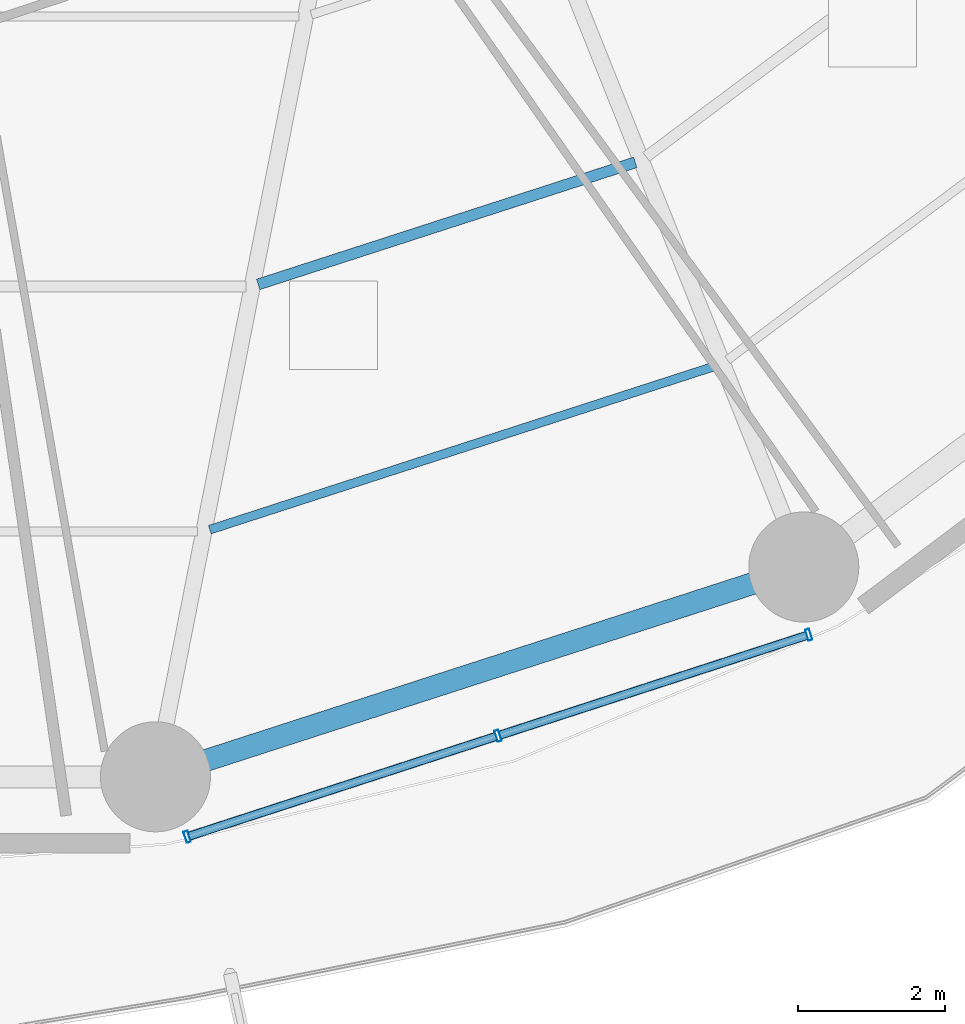
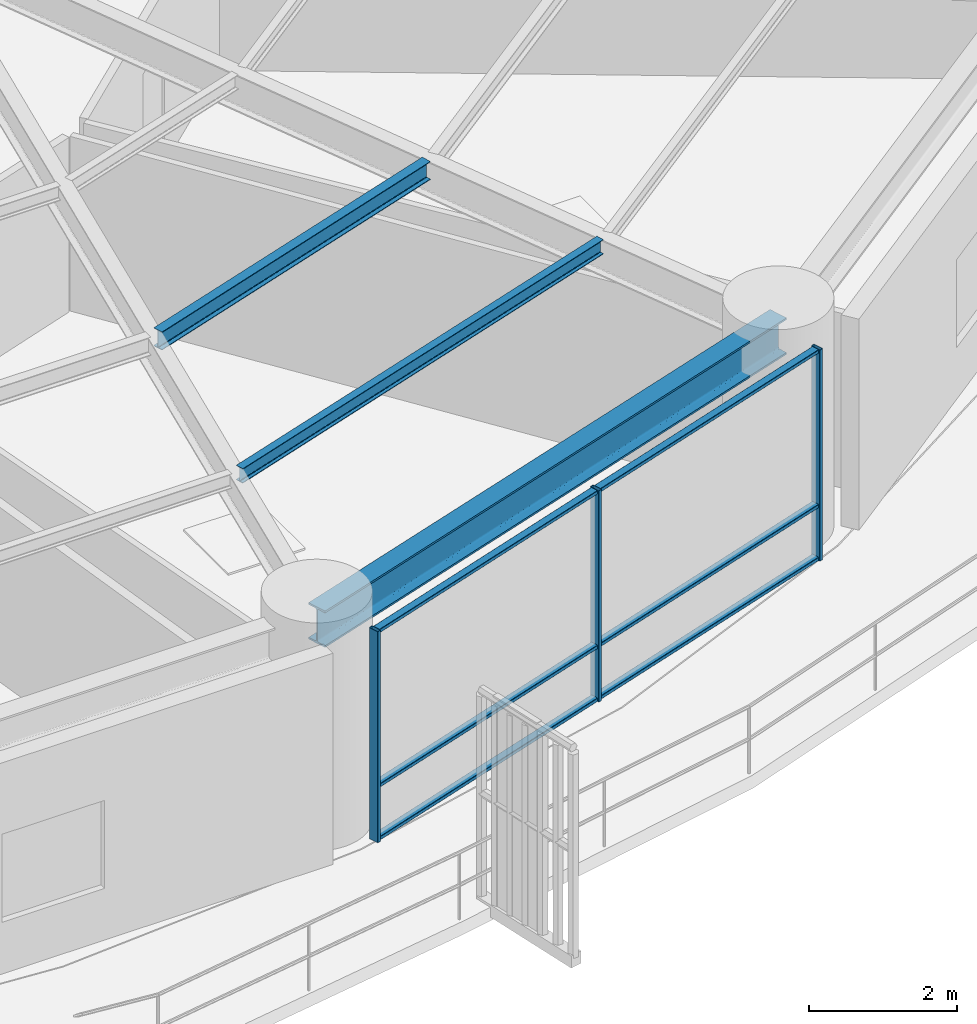
# One storey, part 8 of 33: 9 members, 3 beams, 1 element without a shape of its own.
"""IFC4 building model written with IfcOpenShell, lengths in metres."""

import ifcopenshell
import ifcopenshell.guid

model = None  # the IFC model being written
_history = None  # IfcOwnerHistory: only IFC2X3 demands one
_inside = {}  # id of a spatial element -> (the spatial element, [elements in it])
_under = {}  # id of a project, library or spatial element -> (it, [spatial elements below it])
_declared = {}  # id of a project -> (the project, [libraries it declares])
_typed = {}  # id of a type object -> (the type object, [elements of that type])
_made_of = {}  # id of a material, layer set ... -> (it, [elements and type objects made of it])


def new_model(schema):
    """Start an empty IFC model of exactly this schema.

    Asked for "IFC4X3", IfcOpenShell would pick the latest addendum, in which some entities
    have other attributes; the version numbers below select the first issue.
    IFC2X3 requires an IfcOwnerHistory on every rooted entity: one is made here for all.
    """
    global model, _history
    if schema == "IFC4X3":
        model = ifcopenshell.file(schema_version=(4, 3, 0, 0))
    else:
        model = ifcopenshell.file(schema=schema)
    _inside.clear()
    _under.clear()
    _declared.clear()
    _typed.clear()
    _made_of.clear()
    _history = None
    if model.schema == "IFC2X3":
        org = make("IfcOrganization", Name="unknown")
        user = make(
            "IfcPersonAndOrganization",
            ThePerson=make("IfcPerson", FamilyName="unknown"),
            TheOrganization=org,
        )
        app = make(
            "IfcApplication",
            ApplicationDeveloper=org,
            Version="unknown",
            ApplicationFullName="unknown",
            ApplicationIdentifier="unknown",
        )
        _history = make(
            "IfcOwnerHistory",
            OwningUser=user,
            OwningApplication=app,
            ChangeAction="ADDED",
            CreationDate=0,
        )
    return model


def make(cls, **values):
    """One entity of the class cls with the attributes given. An attribute that is None is left unset."""
    return model.create_entity(
        cls, **{name: value for name, value in values.items() if value is not None}
    )


def rooted(cls, **values):
    """An entity with a GlobalId (a new one), such as an element, a storey or a relation."""
    return make(cls, GlobalId=ifcopenshell.guid.new(), OwnerHistory=_history, **values)


def si_unit(unit_type, name, prefix=None):
    """IfcSIUnit, for example si_unit("LENGTHUNIT", "METRE", prefix="MILLI")."""
    return make("IfcSIUnit", UnitType=unit_type, Prefix=prefix, Name=name)


def assignment(units):
    """IfcUnitAssignment: the units of a project."""
    return None if units is None else make("IfcUnitAssignment", Units=units)


def point(xyz):
    """IfcCartesianPoint."""
    return None if xyz is None else make("IfcCartesianPoint", Coordinates=xyz)


def direction(xyz):
    """IfcDirection."""
    return None if xyz is None else make("IfcDirection", DirectionRatios=xyz)


def frame(location, z_axis=None, x_axis=None):
    """IfcAxis2Placement3D, a coordinate frame: its origin and axes. An axis left out is left unset."""
    return make(
        "IfcAxis2Placement3D",
        Location=point(location),
        Axis=direction(z_axis),
        RefDirection=direction(x_axis),
    )


def frame_2d(location, x_axis=None):
    """IfcAxis2Placement2D, a coordinate frame in the plane: its origin and x axis."""
    return make(
        "IfcAxis2Placement2D", Location=point(location), RefDirection=direction(x_axis)
    )


def origin():
    """The frame at (0, 0, 0) with its axes left unset."""
    return frame((0.0, 0.0, 0.0))


def origin_2d():
    """The frame at (0, 0) in the plane with its x axis left unset."""
    return frame_2d((0.0, 0.0))


def place(relative_to, where):
    """IfcLocalPlacement: puts the frame where relative to a parent placement (None: the world)."""
    return make(
        "IfcLocalPlacement", PlacementRelTo=relative_to, RelativePlacement=where
    )


def context(
    kind, dimensions, precision=None, world=None, true_north=None, identifier=None
):
    """IfcGeometricRepresentationContext, for example the 3D "Model" context."""
    return make(
        "IfcGeometricRepresentationContext",
        ContextIdentifier=identifier,
        ContextType=kind,
        CoordinateSpaceDimension=dimensions,
        Precision=precision,
        WorldCoordinateSystem=world,
        TrueNorth=true_north,
    )


def subcontext(parent, identifier, kind, view, scale=None):
    """IfcGeometricRepresentationSubContext, for example "Body" below "Model"."""
    return make(
        "IfcGeometricRepresentationSubContext",
        ContextIdentifier=identifier,
        ContextType=kind,
        ParentContext=parent,
        TargetScale=scale,
        TargetView=view,
    )


def project(units=None, contexts=None):
    """IfcProject with its units and contexts."""
    return rooted(
        "IfcProject",
        Name="project",
        RepresentationContexts=contexts,
        UnitsInContext=assignment(units),
    )


def spatial(cls, under=None, at=None, **own):
    """A site, building, storey or space (cls), placed at a placement, below another one or the project."""
    s = rooted(cls, ObjectPlacement=at, **own)
    if under is not None:
        _under.setdefault(under.id(), (under, []))[1].append(s)
    return s


def profile(cls, at=None, kind="AREA", **sizes):
    """A parametric profile (cls). Its sizes go by their IFC names, for example OverallWidth=200.0."""
    return make(cls, ProfileType=kind, Position=at, **sizes)


def hollow_rectangle(**sizes):
    """IfcRectangleHollowProfileDef."""
    return profile("IfcRectangleHollowProfileDef", **sizes)


def i_section(**sizes):
    """IfcIShapeProfileDef."""
    return profile("IfcIShapeProfileDef", **sizes)


def extrude(swept, where, along, depth):
    """IfcExtrudedAreaSolid: the profile swept, set in the frame where, extruded along a direction by depth."""
    return make(
        "IfcExtrudedAreaSolid",
        SweptArea=swept,
        Position=where,
        ExtrudedDirection=direction(along),
        Depth=depth,
    )


def shape(context_of_items, identifier, shape_type, items):
    """IfcShapeRepresentation: the items that make up one representation, for example the "Body"."""
    return make(
        "IfcShapeRepresentation",
        ContextOfItems=context_of_items,
        RepresentationIdentifier=identifier,
        RepresentationType=shape_type,
        Items=items,
    )


def material(Name=None, Category=None):
    """IfcMaterial."""
    return make("IfcMaterial", Name=Name, Category=Category)


def layer(
    of_material, thickness, ventilated=None, Name=None, Category=None, Priority=None
):
    """IfcMaterialLayer: one layer of a wall or slab, of a material (None: an air gap)."""
    return make(
        "IfcMaterialLayer",
        Material=of_material,
        LayerThickness=thickness,
        IsVentilated=ventilated,
        Name=Name,
        Category=Category,
        Priority=Priority,
    )


def layer_set(layers, Name=None):
    """IfcMaterialLayerSet."""
    return make("IfcMaterialLayerSet", MaterialLayers=layers, LayerSetName=Name)


def material_profile(
    of_material, cross_section, Name=None, Category=None, Priority=None
):
    """IfcMaterialProfile: a cross section and its material."""
    return make(
        "IfcMaterialProfile",
        Name=Name,
        Material=of_material,
        Profile=cross_section,
        Priority=Priority,
        Category=Category,
    )


def profile_set(profiles, Name=None, composite=None):
    """IfcMaterialProfileSet."""
    return make(
        "IfcMaterialProfileSet",
        Name=Name,
        MaterialProfiles=profiles,
        CompositeProfile=composite,
    )


def made_of(thing, what):
    """Note that an element or type object is made of a material, layer set ...; save() writes the relation."""
    if what is not None:
        _made_of.setdefault(what.id(), (what, []))[1].append(thing)
    return thing


def type_object(cls, material=None, **own):
    """A type object (cls), such as IfcWallType, which elements share."""
    return made_of(rooted(cls, **own), material)


def element(
    cls,
    number,
    at=None,
    inside=None,
    cuts=None,
    type_object=None,
    material=None,
    context=None,
    identifier="Body",
    shape_type=None,
    held_by="IfcProductDefinitionShape",
    body=None,
    shapes=None,
    **own,
):
    """One element of the class cls, such as IfcWall. Its Tag is "e" and its number.

    at: its placement. inside: the storey or other place that contains it. cuts: it is an
    opening in that element (IfcRelVoidsElement). A single representation is given by context,
    identifier, shape_type and body (its items); several are given by shapes. held_by: the class
    of the entity that holds the representations. save() writes the other relations.
    """
    e = rooted(cls, Tag="e%d" % number, ObjectPlacement=at, **own)
    if body is not None:
        shapes = [shape(context, identifier, shape_type, body)]
    if shapes is not None:
        e.Representation = make(held_by, Representations=shapes)
    if inside is not None:
        _inside.setdefault(inside.id(), (inside, []))[1].append(e)
    if cuts is not None:
        rooted(
            "IfcRelVoidsElement", RelatingBuildingElement=cuts, RelatedOpeningElement=e
        )
    if type_object is not None:
        _typed.setdefault(type_object.id(), (type_object, []))[1].append(e)
    return made_of(e, material)


def aggregate(whole, parts):
    """IfcRelAggregates: a whole, such as a stair, and the parts it consists of."""
    return rooted("IfcRelAggregates", RelatingObject=whole, RelatedObjects=parts)


def save(model, path):
    """Write the relations noted so far, then the file.

    IfcRelAggregates (storeys below a building ...), IfcRelContainedInSpatialStructure (elements
    in a storey), IfcRelDefinesByType, IfcRelAssociatesMaterial and IfcRelDeclares: one each for
    every whole, place, type object, material and project.
    """
    for whole, parts in _under.values():
        aggregate(whole, parts)
    for where, things in _inside.values():
        rooted(
            "IfcRelContainedInSpatialStructure",
            RelatedElements=things,
            RelatingStructure=where,
        )
    for kind, things in _typed.values():
        rooted("IfcRelDefinesByType", RelatedObjects=things, RelatingType=kind)
    for what, things in _made_of.values():
        rooted("IfcRelAssociatesMaterial", RelatedObjects=things, RelatingMaterial=what)
    for by, libraries in _declared.values():
        rooted("IfcRelDeclares", RelatingContext=by, RelatedDefinitions=libraries)
    model.write(path)


model = new_model("IFC4")

# Units and contexts
model_context = context("Model", 3, precision=1e-05, world=origin(), true_north=direction((0.0, 1.0)))
body_context = subcontext(model_context, "Body", "Model", "MODEL_VIEW")
ifc_project = project(units=[si_unit("LENGTHUNIT", "METRE"), si_unit("AREAUNIT", "SQUARE_METRE"), si_unit("VOLUMEUNIT", "CUBIC_METRE"), si_unit("PLANEANGLEUNIT", "RADIAN"), si_unit("MASSUNIT", "GRAM", prefix="KILO")], contexts=[model_context])

# Site, building, storey
site_placement = place(None, origin())
site = spatial("IfcSite", under=ifc_project, at=site_placement, CompositionType="ELEMENT")
building_placement = place(site_placement, origin())
building = spatial("IfcBuilding", under=site, at=building_placement, Name="Kelanora Arch Commons", CompositionType="ELEMENT")
storey_placement = place(building_placement, frame((0.0, 0.0, 41.25)))
storey = spatial("IfcBuildingStorey", under=building, at=storey_placement, Name="L10", CompositionType="ELEMENT", Elevation=41.25)

# Beams
ifc_material_1 = material(Name="Steel S355", Category="steel")
ifc_material_profile_1 = material_profile(ifc_material_1, i_section(OverallWidth=0.14990234375, OverallDepth=0.300048828125, WebThickness=0.007080078125, FlangeThickness=0.0107421875, FilletRadius=0.014892578125, at=origin_2d()), Name="IPE300")
ifc_profile_set_1 = profile_set([ifc_material_profile_1], Name="Steel S355")
beam_type_1 = type_object("IfcBeamType", Name="BM-JST-01", PredefinedType="JOIST", material=ifc_profile_set_1)
beam_1_placement = place(storey_placement, frame((80.102294921875, 40.997802734375, 3.340087890625), z_axis=(0.951412209627, 0.307920131482, 0.0), x_axis=(-0.307920131482, 0.951412209627, 0.0)))
element("IfcBeam", 1, at=beam_1_placement, inside=storey, type_object=beam_type_1, Name="Secondary Chord Joist BJB-28 L10", PredefinedType="JOIST", context=body_context, shape_type="SweptSolid", body=[
    extrude(i_section(OverallWidth=0.14990234375, OverallDepth=0.300048828125, WebThickness=0.007080078125, FlangeThickness=0.0107421875, FilletRadius=0.014892578125, at=origin_2d()), origin(), (0.0, 0.0, 1.0), 5.4033203125),
])
ifc_material_profile_2 = material_profile(ifc_material_1, i_section(OverallWidth=0.1201171875, OverallDepth=0.239990234375, WebThickness=0.006103515625, FlangeThickness=0.009765625, FilletRadius=0.014892578125, at=origin_2d()), Name="IPE240")
ifc_profile_set_2 = profile_set([ifc_material_profile_2], Name="Steel S355")
beam_type_2 = type_object("IfcBeamType", Name="BM-JST-02", PredefinedType="JOIST", material=ifc_profile_set_2)
beam_2_placement = place(storey_placement, frame((79.44287109375, 37.65478515625, 3.3701171875), z_axis=(0.951410915705, 0.307924129418, 0.0), x_axis=(-0.307924129418, 0.951410915705, 0.0)))
element("IfcBeam", 2, at=beam_2_placement, inside=storey, type_object=beam_type_2, Name="Secondary Chord Joist BJC-28 L10", PredefinedType="JOIST", context=body_context, shape_type="SweptSolid", body=[
    extrude(i_section(OverallWidth=0.1201171875, OverallDepth=0.239990234375, WebThickness=0.006103515625, FlangeThickness=0.009765625, FilletRadius=0.014892578125, at=origin_2d()), origin(), (0.0, 0.0, 1.0), 7.260986328125),
])
ifc_material_profile_3 = material_profile(ifc_material_1, i_section(OverallWidth=0.300048828125, OverallDepth=0.60009765625, WebThickness=0.015380859375, FlangeThickness=0.030029296875, FilletRadius=0.027099609375, at=origin_2d()), Name="HEB600")
ifc_profile_set_3 = profile_set([ifc_material_profile_3], Name="Steel S355")
beam_type_3 = type_object("IfcBeamType", Name="BM-SPN-Z1", PredefinedType="SPANDREL", material=ifc_profile_set_3)
beam_3_placement = place(storey_placement, frame((78.702392578125, 34.285888671875, 3.18994140625), z_axis=(0.951417120402, 0.307904957748, 0.0), x_axis=(-0.307904957748, 0.951417120402, 0.0)))
element("IfcBeam", 3, at=beam_3_placement, inside=storey, type_object=beam_type_3, Name="Perimeter Spandrel Beam BS-28 L10", PredefinedType="SPANDREL", context=body_context, shape_type="SweptSolid", body=[
    extrude(i_section(OverallWidth=0.300048828125, OverallDepth=0.60009765625, WebThickness=0.015380859375, FlangeThickness=0.030029296875, FilletRadius=0.027099609375, at=origin_2d()), origin(), (0.0, 0.0, 1.0), 9.288818359375),
])

# Curtain wall, members
ifc_material_2 = material(Name="Terracotta ceramic-fritted low-E glass and aluminium", Category="masonry")
ifc_layer = layer(ifc_material_2, 0.159912109375)
ifc_layer_set = layer_set([ifc_layer], Name="Terracotta ceramic-fritted low-E glass and aluminium")
curtain_wall_type = type_object("IfcCurtainWallType", Name="CW-SYS-01", PredefinedType="NOTDEFINED", material=ifc_layer_set)
curtain_wall_placement = place(storey_placement, origin())
curtain_wall = element("IfcCurtainWall", 4, at=curtain_wall_placement, inside=storey, type_object=curtain_wall_type, Name="Unitised Curtain Wall L10-B14", PredefinedType="NOTDEFINED")
ifc_material_3 = material(Name="Powder-coated aluminium terracotta", Category="masonry")
ifc_material_profile_4 = material_profile(ifc_material_3, hollow_rectangle(XDim=0.159912109375, YDim=0.06005859375, WallThickness=0.0048828125, InnerFilletRadius=0.0048828125, OuterFilletRadius=0.010009765625, at=origin_2d()), Name="CWM160x60")
ifc_profile_set_4 = profile_set([ifc_material_profile_4], Name="Powder-coated aluminium terracotta")
member_type_1 = type_object("IfcMemberType", Name="CWM-STD", PredefinedType="MULLION", material=ifc_profile_set_4)
member_1_placement = place(storey_placement, frame((79.134521484375, 33.46826171875, 0.0), z_axis=(0.0, 0.0, 1.0), x_axis=(-0.30905758454, 0.951043326793, 0.0)))
member_1 = element("IfcMember", 5, at=member_1_placement, type_object=member_type_1, Name="CW-01 mullion 1", PredefinedType="MULLION", context=body_context, shape_type="SweptSolid", body=[
    extrude(hollow_rectangle(XDim=0.159912109375, YDim=0.06005859375, WallThickness=0.0048828125, InnerFilletRadius=0.0048828125, OuterFilletRadius=0.010009765625, at=origin_2d()), origin(), (0.0, 0.0, 1.0), 3.47509765625),
])
member_2_placement = place(storey_placement, frame((83.37109375, 34.84521484375, 0.0), z_axis=(0.0, 0.0, 1.0), x_axis=(-0.30905758454, 0.951043326793, 0.0)))
member_2 = element("IfcMember", 6, at=member_2_placement, type_object=member_type_1, Name="CW-01 mullion 2", PredefinedType="MULLION", context=body_context, shape_type="SweptSolid", body=[
    extrude(hollow_rectangle(XDim=0.159912109375, YDim=0.06005859375, WallThickness=0.0048828125, InnerFilletRadius=0.0048828125, OuterFilletRadius=0.010009765625, at=origin_2d()), origin(), (0.0, 0.0, 1.0), 3.47509765625),
])
member_3_placement = place(storey_placement, frame((87.607666015625, 36.221923828125, 0.0), z_axis=(0.0, 0.0, 1.0), x_axis=(-0.30905758454, 0.951043326793, 0.0)))
member_3 = element("IfcMember", 7, at=member_3_placement, type_object=member_type_1, Name="CW-01 mullion 3", PredefinedType="MULLION", context=body_context, shape_type="SweptSolid", body=[
    extrude(hollow_rectangle(XDim=0.159912109375, YDim=0.06005859375, WallThickness=0.0048828125, InnerFilletRadius=0.0048828125, OuterFilletRadius=0.010009765625, at=origin_2d()), origin(), (0.0, 0.0, 1.0), 3.47509765625),
])
ifc_material_profile_5 = material_profile(ifc_material_3, hollow_rectangle(XDim=0.1201171875, YDim=0.06005859375, WallThickness=0.0048828125, InnerFilletRadius=0.0048828125, OuterFilletRadius=0.010009765625, at=origin_2d()), Name="CWT120x60")
ifc_profile_set_5 = profile_set([ifc_material_profile_5], Name="Powder-coated aluminium terracotta")
member_type_2 = type_object("IfcMemberType", Name="CWT-STD", PredefinedType="USERDEFINED", material=ifc_profile_set_5)
member_4_placement = place(storey_placement, frame((79.1630859375, 33.4775390625, 0.030029296875), z_axis=(0.951028761285, 0.309102402464, 0.0), x_axis=(-0.309102402464, 0.951028761285, 0.0)))
member_4 = element("IfcMember", 8, at=member_4_placement, type_object=member_type_2, Name="CW-01 transom 1.1", ObjectType="TRANSOM", PredefinedType="USERDEFINED", context=body_context, shape_type="SweptSolid", body=[
    extrude(hollow_rectangle(XDim=0.1201171875, YDim=0.06005859375, WallThickness=0.0048828125, InnerFilletRadius=0.0048828125, OuterFilletRadius=0.010009765625, at=origin_2d()), origin(), (0.0, 0.0, 1.0), 4.394775390625),
])
member_5_placement = place(storey_placement, frame((79.1630859375, 33.4775390625, 0.89990234375), z_axis=(0.951028761285, 0.309102402464, 0.0), x_axis=(-0.309102402464, 0.951028761285, 0.0)))
member_5 = element("IfcMember", 9, at=member_5_placement, type_object=member_type_2, Name="CW-01 transom 1.2", ObjectType="TRANSOM", PredefinedType="USERDEFINED", context=body_context, shape_type="SweptSolid", body=[
    extrude(hollow_rectangle(XDim=0.1201171875, YDim=0.06005859375, WallThickness=0.0048828125, InnerFilletRadius=0.0048828125, OuterFilletRadius=0.010009765625, at=origin_2d()), origin(), (0.0, 0.0, 1.0), 4.394775390625),
])
member_6_placement = place(storey_placement, frame((79.1630859375, 33.4775390625, 3.445068359375), z_axis=(0.951028761285, 0.309102402464, 0.0), x_axis=(-0.309102402464, 0.951028761285, 0.0)))
member_6 = element("IfcMember", 10, at=member_6_placement, type_object=member_type_2, Name="CW-01 transom 1.3", ObjectType="TRANSOM", PredefinedType="USERDEFINED", context=body_context, shape_type="SweptSolid", body=[
    extrude(hollow_rectangle(XDim=0.1201171875, YDim=0.06005859375, WallThickness=0.0048828125, InnerFilletRadius=0.0048828125, OuterFilletRadius=0.010009765625, at=origin_2d()), origin(), (0.0, 0.0, 1.0), 4.394775390625),
])
member_7_placement = place(storey_placement, frame((83.399658203125, 34.8544921875, 0.030029296875), z_axis=(0.951045091182, 0.309052155047, 0.0), x_axis=(-0.309052155047, 0.951045091182, 0.0)))
member_7 = element("IfcMember", 11, at=member_7_placement, type_object=member_type_2, Name="CW-01 transom 2.1", ObjectType="TRANSOM", PredefinedType="USERDEFINED", context=body_context, shape_type="SweptSolid", body=[
    extrude(hollow_rectangle(XDim=0.1201171875, YDim=0.06005859375, WallThickness=0.0048828125, InnerFilletRadius=0.0048828125, OuterFilletRadius=0.010009765625, at=origin_2d()), origin(), (0.0, 0.0, 1.0), 4.39453125),
])
member_8_placement = place(storey_placement, frame((83.399658203125, 34.8544921875, 0.89990234375), z_axis=(0.951045091182, 0.309052155047, 0.0), x_axis=(-0.309052155047, 0.951045091182, 0.0)))
member_8 = element("IfcMember", 12, at=member_8_placement, type_object=member_type_2, Name="CW-01 transom 2.2", ObjectType="TRANSOM", PredefinedType="USERDEFINED", context=body_context, shape_type="SweptSolid", body=[
    extrude(hollow_rectangle(XDim=0.1201171875, YDim=0.06005859375, WallThickness=0.0048828125, InnerFilletRadius=0.0048828125, OuterFilletRadius=0.010009765625, at=origin_2d()), origin(), (0.0, 0.0, 1.0), 4.39453125),
])
member_9_placement = place(storey_placement, frame((83.399658203125, 34.8544921875, 3.445068359375), z_axis=(0.951045091182, 0.309052155047, 0.0), x_axis=(-0.309052155047, 0.951045091182, 0.0)))
member_9 = element("IfcMember", 13, at=member_9_placement, type_object=member_type_2, Name="CW-01 transom 2.3", ObjectType="TRANSOM", PredefinedType="USERDEFINED", context=body_context, shape_type="SweptSolid", body=[
    extrude(hollow_rectangle(XDim=0.1201171875, YDim=0.06005859375, WallThickness=0.0048828125, InnerFilletRadius=0.0048828125, OuterFilletRadius=0.010009765625, at=origin_2d()), origin(), (0.0, 0.0, 1.0), 4.39453125),
])
aggregate(curtain_wall, [member_1, member_2, member_3, member_4, member_5, member_6, member_7, member_8, member_9])

save(model, "model.ifc")
